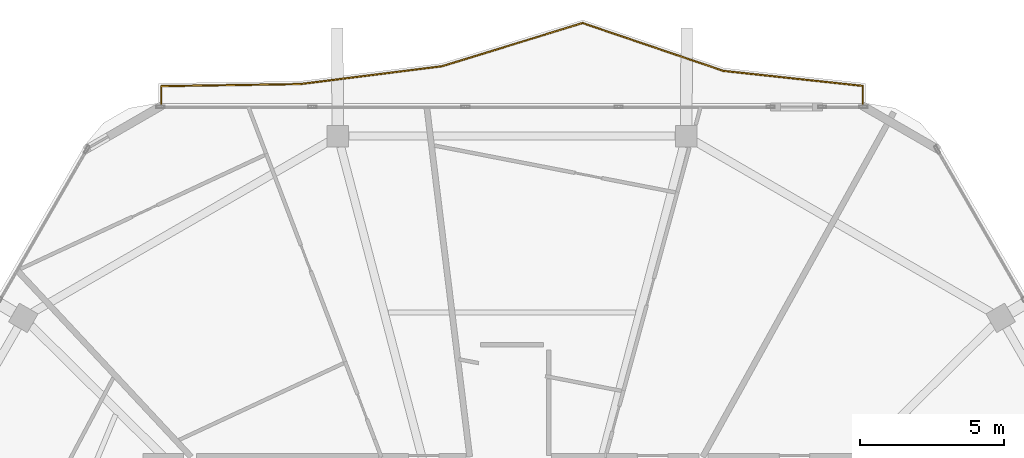
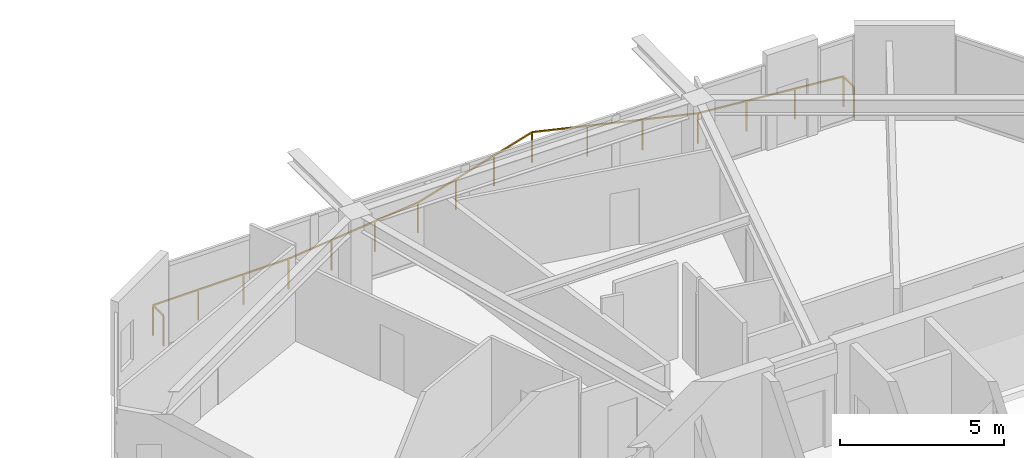
# One storey, part 21 of 21: 1 railing.
"""IFC4 building model written with IfcOpenShell, lengths in metres."""

from ifc_helpers import new_model, si_unit, direction, frame, origin, origin_2d, place, context, subcontext, project, spatial, rectangle, extrude, material, type_object, element, save


model = new_model("IFC4")

# Units and contexts
model_context = context("Model", 3, precision=1e-05, world=origin(), true_north=direction((0.0, 1.0)))
body_context = subcontext(model_context, "Body", "Model", "MODEL_VIEW")
ifc_project = project(units=[si_unit("LENGTHUNIT", "METRE"), si_unit("AREAUNIT", "SQUARE_METRE"), si_unit("VOLUMEUNIT", "CUBIC_METRE"), si_unit("PLANEANGLEUNIT", "RADIAN"), si_unit("MASSUNIT", "GRAM", prefix="KILO")], contexts=[model_context])

# Site, building, storey
site_placement = place(None, origin())
site = spatial("IfcSite", under=ifc_project, at=site_placement, CompositionType="ELEMENT")
building_placement = place(site_placement, origin())
building = spatial("IfcBuilding", under=site, at=building_placement, Name="Zuhravey Tower", CompositionType="ELEMENT")
storey_placement = place(building_placement, frame((0.0, 0.0, 334.800048828125)))
storey = spatial("IfcBuildingStorey", under=building, at=storey_placement, Name="L85", CompositionType="ELEMENT", Elevation=334.800048828125)

# Railing
ifc_material = material(Name="Stainless steel 316 and laminated glass", Category="steel")
railing_type = type_object("IfcRailingType", Name="Balcony & Terrace Guardrail 1150", PredefinedType="BALUSTRADE", material=ifc_material)
railing_placement = place(storey_placement, frame((23.831787109375, 56.1591796875, 0.0)))
element("IfcRailing", 1, at=railing_placement, inside=storey, type_object=railing_type, Name="L85 Face 2 Wave Balcony Guardrail GR1", PredefinedType="BALUSTRADE", context=body_context, shape_type="SweptSolid", body=[
    extrude(rectangle(XDim=0.048095703125, YDim=0.048095703125, at=origin_2d()), frame((0.0, 0.001953125, 1.1259765625), z_axis=(0.0, 1.0, 0.0), x_axis=(-1.0, 0.0, 0.0)), (0.0, 0.0, 1.0), 0.637451171875),
    extrude(rectangle(XDim=0.048095703125, YDim=0.048095703125, at=origin_2d()), frame((0.001953125, 0.641357421875, 1.1259765625), z_axis=(0.999888115128, 0.01495851686, 0.0), x_axis=(-0.01495851686, 0.999888115128, 0.0)), (0.0, 0.0, 1.0), 4.810791015625),
    extrude(rectangle(XDim=0.048095703125, YDim=0.048095703125, at=origin_2d()), frame((4.816162109375, 0.713623046875, 1.1259765625), z_axis=(0.992197400803, 0.124676853668, 0.0), x_axis=(-0.124676853668, 0.992197400803, 0.0)), (0.0, 0.0, 1.0), 4.9560546875),
    extrude(rectangle(XDim=0.048095703125, YDim=0.048095703125, at=origin_2d()), frame((9.737548828125, 1.332275390625, 1.1259765625), z_axis=(0.955940026792, 0.29356202952, 0.0), x_axis=(-0.29356202952, 0.955940026792, 0.0)), (0.0, 0.0, 1.0), 5.105712890625),
    extrude(rectangle(XDim=0.048095703125, YDim=0.048095703125, at=origin_2d()), frame((14.6220703125, 2.8310546875, 1.1259765625), z_axis=(0.94680329999, -0.321812851091, 0.0), x_axis=(0.321812851091, 0.94680329999, 0.0)), (0.0, 0.0, 1.0), 5.15771484375),
    extrude(rectangle(XDim=0.048095703125, YDim=0.048095703125, at=origin_2d()), frame((19.50927734375, 1.17041015625, 1.1259765625), z_axis=(0.994241257087, -0.10716493226, 0.0), x_axis=(0.10716493226, 0.994241257087, 0.0)), (0.0, 0.0, 1.0), 4.85302734375),
    extrude(rectangle(XDim=0.048095703125, YDim=0.048095703125, at=origin_2d()), frame((24.33642578125, 0.648193359375, 1.1259765625), z_axis=(0.0, -1.0, 0.0), x_axis=(1.0, 0.0, 0.0)), (0.0, 0.0, 1.0), 0.646240234375),
    extrude(rectangle(XDim=0.0419921875, YDim=0.0419921875, at=origin_2d()), origin(), (0.0, 0.0, 1.0), 1.099853515625),
    extrude(rectangle(XDim=0.0419921875, YDim=0.0419921875, at=origin_2d()), frame((0.0, 0.641357421875, 0.0)), (0.0, 0.0, 1.0), 1.099853515625),
    extrude(rectangle(XDim=0.0419921875, YDim=0.0419921875, at=origin_2d()), frame((1.604736328125, 0.665283203125, 0.0)), (0.0, 0.0, 1.0), 1.099853515625),
    extrude(rectangle(XDim=0.0419921875, YDim=0.0419921875, at=origin_2d()), frame((3.20947265625, 0.689453125, 0.0)), (0.0, 0.0, 1.0), 1.099853515625),
    extrude(rectangle(XDim=0.0419921875, YDim=0.0419921875, at=origin_2d()), frame((4.814208984375, 0.71337890625, 0.0)), (0.0, 0.0, 1.0), 1.099853515625),
    extrude(rectangle(XDim=0.0419921875, YDim=0.0419921875, at=origin_2d()), frame((6.45458984375, 0.91943359375, 0.0)), (0.0, 0.0, 1.0), 1.099853515625),
    extrude(rectangle(XDim=0.0419921875, YDim=0.0419921875, at=origin_2d()), frame((8.09521484375, 1.125732421875, 0.0)), (0.0, 0.0, 1.0), 1.099853515625),
    extrude(rectangle(XDim=0.0419921875, YDim=0.0419921875, at=origin_2d()), frame((9.735595703125, 1.331787109375, 0.0)), (0.0, 0.0, 1.0), 1.099853515625),
    extrude(rectangle(XDim=0.0419921875, YDim=0.0419921875, at=origin_2d()), frame((11.36376953125, 1.831787109375, 0.0)), (0.0, 0.0, 1.0), 1.099853515625),
    extrude(rectangle(XDim=0.0419921875, YDim=0.0419921875, at=origin_2d()), frame((12.991943359375, 2.331787109375, 0.0)), (0.0, 0.0, 1.0), 1.099853515625),
    extrude(rectangle(XDim=0.0419921875, YDim=0.0419921875, at=origin_2d()), frame((14.6201171875, 2.831787109375, 0.0)), (0.0, 0.0, 1.0), 1.099853515625),
    extrude(rectangle(XDim=0.0419921875, YDim=0.0419921875, at=origin_2d()), frame((16.249267578125, 2.278076171875, 0.0)), (0.0, 0.0, 1.0), 1.099853515625),
    extrude(rectangle(XDim=0.0419921875, YDim=0.0419921875, at=origin_2d()), frame((17.878173828125, 1.724365234375, 0.0)), (0.0, 0.0, 1.0), 1.099853515625),
    extrude(rectangle(XDim=0.0419921875, YDim=0.0419921875, at=origin_2d()), frame((19.50732421875, 1.170654296875, 0.0)), (0.0, 0.0, 1.0), 1.099853515625),
    extrude(rectangle(XDim=0.0419921875, YDim=0.0419921875, at=origin_2d()), frame((21.116943359375, 0.9970703125, 0.0)), (0.0, 0.0, 1.0), 1.099853515625),
    extrude(rectangle(XDim=0.0419921875, YDim=0.0419921875, at=origin_2d()), frame((22.726806640625, 0.82373046875, 0.0)), (0.0, 0.0, 1.0), 1.099853515625),
    extrude(rectangle(XDim=0.0419921875, YDim=0.0419921875, at=origin_2d()), frame((24.33642578125, 0.650146484375, 0.0)), (0.0, 0.0, 1.0), 1.099853515625),
    extrude(rectangle(XDim=0.0419921875, YDim=0.0419921875, at=origin_2d()), frame((24.33642578125, 0.0, 0.0)), (0.0, 0.0, 1.0), 1.099853515625),
])

save(model, "model.ifc")
